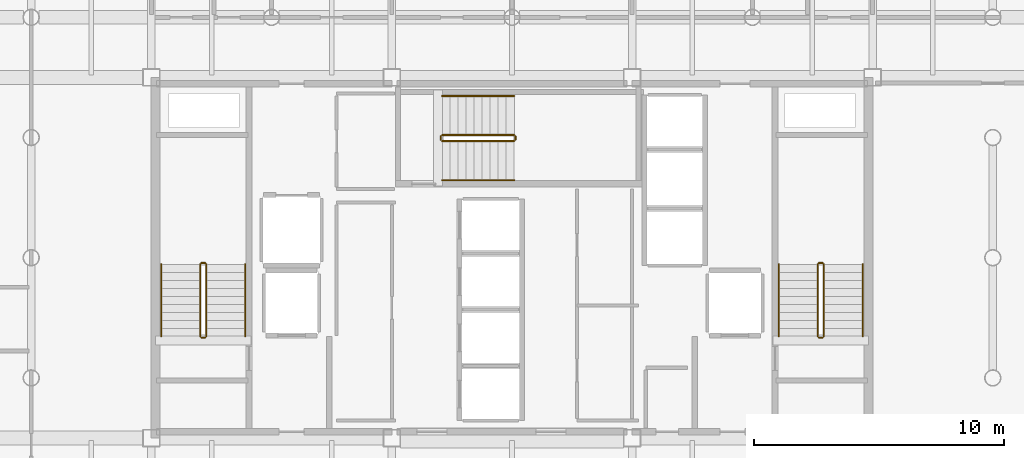
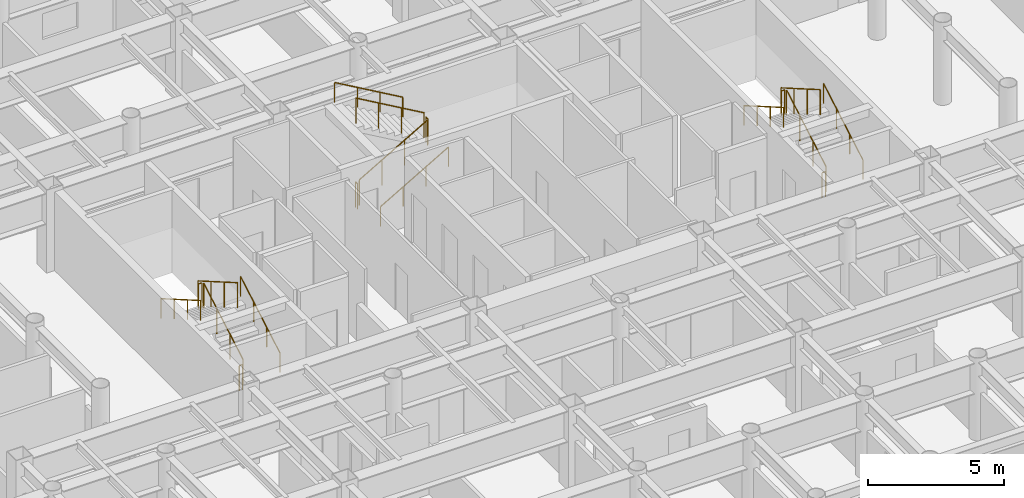
# One storey, part 21 of 22: 18 railings.
"""IFC4 building model written with IfcOpenShell, lengths in metres."""

from ifc_helpers import new_model, si_unit, direction, frame, origin, origin_2d, place, context, subcontext, project, spatial, circle, extrude, material, layer, layer_set, type_object, element, save


model = new_model("IFC4")

# Units and contexts
model_context = context("Model", 3, precision=1e-05, world=origin(), true_north=direction((0.0, 1.0)))
body_context = subcontext(model_context, "Body", "Model", "MODEL_VIEW")
ifc_project = project(units=[si_unit("LENGTHUNIT", "METRE"), si_unit("AREAUNIT", "SQUARE_METRE"), si_unit("VOLUMEUNIT", "CUBIC_METRE"), si_unit("PLANEANGLEUNIT", "RADIAN"), si_unit("MASSUNIT", "GRAM", prefix="KILO")], contexts=[model_context])

# Site, building, storey
site_placement = place(None, origin())
site = spatial("IfcSite", under=ifc_project, at=site_placement, CompositionType="ELEMENT")
building_placement = place(site_placement, origin())
building = spatial("IfcBuilding", under=site, at=building_placement, Name="Kallvorn Hotel Tower", CompositionType="ELEMENT")
storey_placement = place(building_placement, frame((0.0, 0.0, 154.39990234375)))
storey = spatial("IfcBuildingStorey", under=building, at=storey_placement, Name="L38", CompositionType="ELEMENT", Elevation=154.39990234375)

# Railings
ifc_material_1 = material(Name="Brushed stainless-steel tubular railing", Category="steel")
ifc_layer_1 = layer(ifc_material_1, 0.050048828125)
ifc_layer_set_1 = layer_set([ifc_layer_1], Name="RL_STAIR_GUARD")
railing_type_1 = type_object("IfcRailingType", Name="RL_STAIR_GUARD", PredefinedType="GUARDRAIL", material=ifc_layer_set_1)
railing_1_placement = place(storey_placement, frame((-12.2099609375, -3.139892578125, 0.18505859375)))
element("IfcRailing", 1, at=railing_1_placement, inside=storey, type_object=railing_type_1, Name="L38 ST1 stair guard 1", PredefinedType="GUARDRAIL", context=body_context, shape_type="SweptSolid", body=[
    extrude(circle(Radius=0.02392578125, at=origin_2d()), frame((0.0, 0.0, 1.1259765625), z_axis=(0.0, 0.865720918037, 0.500527014328), x_axis=(-1.0, 0.0, 0.0)), (0.0, 0.0, 1.0), 3.32666015625),
    extrude(circle(Radius=0.02099609375, at=origin_2d()), origin(), (0.0, 0.0, 1.0), 1.101806640625),
    extrude(circle(Radius=0.02099609375, at=origin_2d()), frame((0.0, 0.9599609375, 0.554931640625)), (0.0, 0.0, 1.0), 1.101806640625),
    extrude(circle(Radius=0.02099609375, at=origin_2d()), frame((0.0, 1.919921875, 1.110107421875)), (0.0, 0.0, 1.0), 1.101806640625),
    extrude(circle(Radius=0.02099609375, at=origin_2d()), frame((0.0, 2.8798828125, 1.6650390625)), (0.0, 0.0, 1.0), 1.101806640625),
])
railing_2_placement = place(storey_placement, frame((-12.260009765625, -0.2099609375, 1.85009765625)))
element("IfcRailing", 2, at=railing_2_placement, inside=storey, type_object=railing_type_1, Name="L38 ST1 stair guard 2", PredefinedType="GUARDRAIL", context=body_context, shape_type="SweptSolid", body=[
    extrude(circle(Radius=0.02392578125, at=origin_2d()), frame((0.0, 0.0, 1.1259765625), z_axis=(-1.0, 0.0, 0.0), x_axis=(0.0, -1.0, 0.0)), (0.0, 0.0, 1.0), 0.139892578125),
    extrude(circle(Radius=0.02099609375, at=origin_2d()), origin(), (0.0, 0.0, 1.0), 1.101806640625),
    extrude(circle(Radius=0.02099609375, at=origin_2d()), frame((-0.139892578125, 0.0, 0.0)), (0.0, 0.0, 1.0), 1.101806640625),
])
railing_3_placement = place(storey_placement, frame((-12.449951171875, -0.260009765625, 2.03515625)))
element("IfcRailing", 3, at=railing_3_placement, inside=storey, type_object=railing_type_1, Name="L38 ST1 stair guard 3", PredefinedType="GUARDRAIL", context=body_context, shape_type="SweptSolid", body=[
    extrude(circle(Radius=0.02392578125, at=origin_2d()), frame((0.0, 0.0, 1.1259765625), z_axis=(0.0, -0.865720918037, 0.500527014328), x_axis=(1.0, 0.0, 0.0)), (0.0, 0.0, 1.0), 3.32666015625),
    extrude(circle(Radius=0.02099609375, at=origin_2d()), origin(), (0.0, 0.0, 1.0), 1.101806640625),
    extrude(circle(Radius=0.02099609375, at=origin_2d()), frame((0.0, -0.9599609375, 0.554931640625)), (0.0, 0.0, 1.0), 1.101806640625),
    extrude(circle(Radius=0.02099609375, at=origin_2d()), frame((0.0, -1.919921875, 1.110107421875)), (0.0, 0.0, 1.0), 1.101806640625),
    extrude(circle(Radius=0.02099609375, at=origin_2d()), frame((0.0, -2.8798828125, 1.6650390625)), (0.0, 0.0, 1.0), 1.101806640625),
])
railing_4_placement = place(storey_placement, frame((-12.260009765625, -3.18994140625, 0.0)))
element("IfcRailing", 4, at=railing_4_placement, inside=storey, type_object=railing_type_1, Name="L38 ST1 stair guard 4", PredefinedType="GUARDRAIL", context=body_context, shape_type="SweptSolid", body=[
    extrude(circle(Radius=0.02392578125, at=origin_2d()), frame((0.0, 0.0, 1.1259765625), z_axis=(-1.0, 0.0, 0.0), x_axis=(0.0, -1.0, 0.0)), (0.0, 0.0, 1.0), 0.139892578125),
    extrude(circle(Radius=0.02099609375, at=origin_2d()), origin(), (0.0, 0.0, 1.0), 1.101806640625),
    extrude(circle(Radius=0.02099609375, at=origin_2d()), frame((-0.139892578125, 0.0, 0.0)), (0.0, 0.0, 1.0), 1.101806640625),
])
railing_5_placement = place(storey_placement, frame((12.449951171875, -3.139892578125, 0.18505859375)))
element("IfcRailing", 5, at=railing_5_placement, inside=storey, type_object=railing_type_1, Name="L38 ST2 stair guard 1", PredefinedType="GUARDRAIL", context=body_context, shape_type="SweptSolid", body=[
    extrude(circle(Radius=0.02392578125, at=origin_2d()), frame((0.0, 0.0, 1.1259765625), z_axis=(0.0, 0.865720918037, 0.500527014328), x_axis=(-1.0, 0.0, 0.0)), (0.0, 0.0, 1.0), 3.32666015625),
    extrude(circle(Radius=0.02099609375, at=origin_2d()), origin(), (0.0, 0.0, 1.0), 1.101806640625),
    extrude(circle(Radius=0.02099609375, at=origin_2d()), frame((0.0, 0.9599609375, 0.554931640625)), (0.0, 0.0, 1.0), 1.101806640625),
    extrude(circle(Radius=0.02099609375, at=origin_2d()), frame((0.0, 1.919921875, 1.110107421875)), (0.0, 0.0, 1.0), 1.101806640625),
    extrude(circle(Radius=0.02099609375, at=origin_2d()), frame((0.0, 2.8798828125, 1.6650390625)), (0.0, 0.0, 1.0), 1.101806640625),
])
railing_6_placement = place(storey_placement, frame((12.39990234375, -0.2099609375, 1.85009765625)))
element("IfcRailing", 6, at=railing_6_placement, inside=storey, type_object=railing_type_1, Name="L38 ST2 stair guard 2", PredefinedType="GUARDRAIL", context=body_context, shape_type="SweptSolid", body=[
    extrude(circle(Radius=0.02392578125, at=origin_2d()), frame((0.0, 0.0, 1.1259765625), z_axis=(-1.0, 0.0, 0.0), x_axis=(0.0, -1.0, 0.0)), (0.0, 0.0, 1.0), 0.139892578125),
    extrude(circle(Radius=0.02099609375, at=origin_2d()), origin(), (0.0, 0.0, 1.0), 1.101806640625),
    extrude(circle(Radius=0.02099609375, at=origin_2d()), frame((-0.139892578125, 0.0, 0.0)), (0.0, 0.0, 1.0), 1.101806640625),
])
railing_7_placement = place(storey_placement, frame((12.2099609375, -0.260009765625, 2.03515625)))
element("IfcRailing", 7, at=railing_7_placement, inside=storey, type_object=railing_type_1, Name="L38 ST2 stair guard 3", PredefinedType="GUARDRAIL", context=body_context, shape_type="SweptSolid", body=[
    extrude(circle(Radius=0.02392578125, at=origin_2d()), frame((0.0, 0.0, 1.1259765625), z_axis=(0.0, -0.865720918037, 0.500527014328), x_axis=(1.0, 0.0, 0.0)), (0.0, 0.0, 1.0), 3.32666015625),
    extrude(circle(Radius=0.02099609375, at=origin_2d()), origin(), (0.0, 0.0, 1.0), 1.101806640625),
    extrude(circle(Radius=0.02099609375, at=origin_2d()), frame((0.0, -0.9599609375, 0.554931640625)), (0.0, 0.0, 1.0), 1.101806640625),
    extrude(circle(Radius=0.02099609375, at=origin_2d()), frame((0.0, -1.919921875, 1.110107421875)), (0.0, 0.0, 1.0), 1.101806640625),
    extrude(circle(Radius=0.02099609375, at=origin_2d()), frame((0.0, -2.8798828125, 1.6650390625)), (0.0, 0.0, 1.0), 1.101806640625),
])
railing_8_placement = place(storey_placement, frame((12.39990234375, -3.18994140625, 0.0)))
element("IfcRailing", 8, at=railing_8_placement, inside=storey, type_object=railing_type_1, Name="L38 ST2 stair guard 4", PredefinedType="GUARDRAIL", context=body_context, shape_type="SweptSolid", body=[
    extrude(circle(Radius=0.02392578125, at=origin_2d()), frame((0.0, 0.0, 1.1259765625), z_axis=(-1.0, 0.0, 0.0), x_axis=(0.0, -1.0, 0.0)), (0.0, 0.0, 1.0), 0.139892578125),
    extrude(circle(Radius=0.02099609375, at=origin_2d()), origin(), (0.0, 0.0, 1.0), 1.101806640625),
    extrude(circle(Radius=0.02099609375, at=origin_2d()), frame((-0.139892578125, 0.0, 0.0)), (0.0, 0.0, 1.0), 1.101806640625),
])
railing_9_placement = place(storey_placement, frame((-2.7900390625, 4.659912109375, 0.18505859375)))
element("IfcRailing", 9, at=railing_9_placement, inside=storey, type_object=railing_type_1, Name="L38 ST3 stair guard 1", PredefinedType="GUARDRAIL", context=body_context, shape_type="SweptSolid", body=[
    extrude(circle(Radius=0.02392578125, at=origin_2d()), frame((0.0, 0.0, 1.1259765625), z_axis=(0.865739302748, 0.0, 0.50049521444), x_axis=(0.0, 1.0, 0.0)), (0.0, 0.0, 1.0), 3.326904296875),
    extrude(circle(Radius=0.02099609375, at=origin_2d()), origin(), (0.0, 0.0, 1.0), 1.101806640625),
    extrude(circle(Radius=0.02099609375, at=origin_2d()), frame((0.9599609375, 0.0, 0.554931640625)), (0.0, 0.0, 1.0), 1.101806640625),
    extrude(circle(Radius=0.02099609375, at=origin_2d()), frame((1.920166015625, 0.0, 1.110107421875)), (0.0, 0.0, 1.0), 1.101806640625),
    extrude(circle(Radius=0.02099609375, at=origin_2d()), frame((2.880126953125, 0.0, 1.6650390625)), (0.0, 0.0, 1.0), 1.101806640625),
])
railing_10_placement = place(storey_placement, frame((0.139892578125, 4.7099609375, 1.85009765625)))
element("IfcRailing", 10, at=railing_10_placement, inside=storey, type_object=railing_type_1, Name="L38 ST3 stair guard 2", PredefinedType="GUARDRAIL", context=body_context, shape_type="SweptSolid", body=[
    extrude(circle(Radius=0.02392578125, at=origin_2d()), frame((0.0, 0.0, 1.1259765625), z_axis=(0.0, 1.0, 0.0), x_axis=(-1.0, 0.0, 0.0)), (0.0, 0.0, 1.0), 0.14013671875),
    extrude(circle(Radius=0.02099609375, at=origin_2d()), origin(), (0.0, 0.0, 1.0), 1.101806640625),
    extrude(circle(Radius=0.02099609375, at=origin_2d()), frame((0.0, 0.14013671875, 0.0)), (0.0, 0.0, 1.0), 1.101806640625),
])
railing_11_placement = place(storey_placement, frame((0.090087890625, 4.89990234375, 2.03515625)))
element("IfcRailing", 11, at=railing_11_placement, inside=storey, type_object=railing_type_1, Name="L38 ST3 stair guard 3", PredefinedType="GUARDRAIL", context=body_context, shape_type="SweptSolid", body=[
    extrude(circle(Radius=0.02392578125, at=origin_2d()), frame((0.0, 0.0, 1.1259765625), z_axis=(-0.865739302748, 0.0, 0.50049521444), x_axis=(0.0, -1.0, 0.0)), (0.0, 0.0, 1.0), 3.326904296875),
    extrude(circle(Radius=0.02099609375, at=origin_2d()), origin(), (0.0, 0.0, 1.0), 1.101806640625),
    extrude(circle(Radius=0.02099609375, at=origin_2d()), frame((-0.9599609375, 0.0, 0.554931640625)), (0.0, 0.0, 1.0), 1.101806640625),
    extrude(circle(Radius=0.02099609375, at=origin_2d()), frame((-1.920166015625, 0.0, 1.110107421875)), (0.0, 0.0, 1.0), 1.101806640625),
    extrude(circle(Radius=0.02099609375, at=origin_2d()), frame((-2.880126953125, 0.0, 1.6650390625)), (0.0, 0.0, 1.0), 1.101806640625),
])
railing_12_placement = place(storey_placement, frame((-2.840087890625, 4.7099609375, 0.0)))
element("IfcRailing", 12, at=railing_12_placement, inside=storey, type_object=railing_type_1, Name="L38 ST3 stair guard 4", PredefinedType="GUARDRAIL", context=body_context, shape_type="SweptSolid", body=[
    extrude(circle(Radius=0.02392578125, at=origin_2d()), frame((0.0, 0.0, 1.1259765625), z_axis=(0.0, 1.0, 0.0), x_axis=(-1.0, 0.0, 0.0)), (0.0, 0.0, 1.0), 0.14013671875),
    extrude(circle(Radius=0.02099609375, at=origin_2d()), origin(), (0.0, 0.0, 1.0), 1.101806640625),
    extrude(circle(Radius=0.02099609375, at=origin_2d()), frame((0.0, 0.14013671875, 0.0)), (0.0, 0.0, 1.0), 1.101806640625),
])
ifc_material_2 = material(Name="Brushed stainless-steel tubular railing", Category="steel")
ifc_layer_2 = layer(ifc_material_2, 0.050048828125)
ifc_layer_set_2 = layer_set([ifc_layer_2], Name="RL_STAIR_HAND")
railing_type_2 = type_object("IfcRailingType", Name="RL_STAIR_HAND", PredefinedType="HANDRAIL", material=ifc_layer_set_2)
railing_13_placement = place(storey_placement, frame((-10.64990234375, -3.139892578125, 0.18505859375)))
element("IfcRailing", 13, at=railing_13_placement, inside=storey, type_object=railing_type_2, Name="L38 ST1 stair handrail 1", PredefinedType="HANDRAIL", context=body_context, shape_type="SweptSolid", body=[
    extrude(circle(Radius=0.02392578125, at=origin_2d()), frame((0.0, 0.0, 0.8759765625), z_axis=(0.0, 0.865720918037, 0.500527014328), x_axis=(-1.0, 0.0, 0.0)), (0.0, 0.0, 1.0), 3.32666015625),
    extrude(circle(Radius=0.02099609375, at=origin_2d()), origin(), (0.0, 0.0, 1.0), 0.851806640625),
    extrude(circle(Radius=0.02099609375, at=origin_2d()), frame((0.0, 0.9599609375, 0.554931640625)), (0.0, 0.0, 1.0), 0.851806640625),
    extrude(circle(Radius=0.02099609375, at=origin_2d()), frame((0.0, 1.919921875, 1.110107421875)), (0.0, 0.0, 1.0), 0.851806640625),
    extrude(circle(Radius=0.02099609375, at=origin_2d()), frame((0.0, 2.8798828125, 1.6650390625)), (0.0, 0.0, 1.0), 0.851806640625),
])
railing_14_placement = place(storey_placement, frame((-14.010009765625, -0.260009765625, 2.03515625)))
element("IfcRailing", 14, at=railing_14_placement, inside=storey, type_object=railing_type_2, Name="L38 ST1 stair handrail 2", PredefinedType="HANDRAIL", context=body_context, shape_type="SweptSolid", body=[
    extrude(circle(Radius=0.02392578125, at=origin_2d()), frame((0.0, 0.0, 0.8759765625), z_axis=(0.0, -0.865720918037, 0.500527014328), x_axis=(1.0, 0.0, 0.0)), (0.0, 0.0, 1.0), 3.32666015625),
    extrude(circle(Radius=0.02099609375, at=origin_2d()), origin(), (0.0, 0.0, 1.0), 0.851806640625),
    extrude(circle(Radius=0.02099609375, at=origin_2d()), frame((0.0, -0.9599609375, 0.554931640625)), (0.0, 0.0, 1.0), 0.851806640625),
    extrude(circle(Radius=0.02099609375, at=origin_2d()), frame((0.0, -1.919921875, 1.110107421875)), (0.0, 0.0, 1.0), 0.851806640625),
    extrude(circle(Radius=0.02099609375, at=origin_2d()), frame((0.0, -2.8798828125, 1.6650390625)), (0.0, 0.0, 1.0), 0.851806640625),
])
railing_15_placement = place(storey_placement, frame((14.010009765625, -3.139892578125, 0.18505859375)))
element("IfcRailing", 15, at=railing_15_placement, inside=storey, type_object=railing_type_2, Name="L38 ST2 stair handrail 1", PredefinedType="HANDRAIL", context=body_context, shape_type="SweptSolid", body=[
    extrude(circle(Radius=0.02392578125, at=origin_2d()), frame((0.0, 0.0, 0.8759765625), z_axis=(0.0, 0.865720918037, 0.500527014328), x_axis=(-1.0, 0.0, 0.0)), (0.0, 0.0, 1.0), 3.32666015625),
    extrude(circle(Radius=0.02099609375, at=origin_2d()), origin(), (0.0, 0.0, 1.0), 0.851806640625),
    extrude(circle(Radius=0.02099609375, at=origin_2d()), frame((0.0, 0.9599609375, 0.554931640625)), (0.0, 0.0, 1.0), 0.851806640625),
    extrude(circle(Radius=0.02099609375, at=origin_2d()), frame((0.0, 1.919921875, 1.110107421875)), (0.0, 0.0, 1.0), 0.851806640625),
    extrude(circle(Radius=0.02099609375, at=origin_2d()), frame((0.0, 2.8798828125, 1.6650390625)), (0.0, 0.0, 1.0), 0.851806640625),
])
railing_16_placement = place(storey_placement, frame((10.64990234375, -0.260009765625, 2.03515625)))
element("IfcRailing", 16, at=railing_16_placement, inside=storey, type_object=railing_type_2, Name="L38 ST2 stair handrail 2", PredefinedType="HANDRAIL", context=body_context, shape_type="SweptSolid", body=[
    extrude(circle(Radius=0.02392578125, at=origin_2d()), frame((0.0, 0.0, 0.8759765625), z_axis=(0.0, -0.865720918037, 0.500527014328), x_axis=(1.0, 0.0, 0.0)), (0.0, 0.0, 1.0), 3.32666015625),
    extrude(circle(Radius=0.02099609375, at=origin_2d()), origin(), (0.0, 0.0, 1.0), 0.851806640625),
    extrude(circle(Radius=0.02099609375, at=origin_2d()), frame((0.0, -0.9599609375, 0.554931640625)), (0.0, 0.0, 1.0), 0.851806640625),
    extrude(circle(Radius=0.02099609375, at=origin_2d()), frame((0.0, -1.919921875, 1.110107421875)), (0.0, 0.0, 1.0), 0.851806640625),
    extrude(circle(Radius=0.02099609375, at=origin_2d()), frame((0.0, -2.8798828125, 1.6650390625)), (0.0, 0.0, 1.0), 0.851806640625),
])
railing_17_placement = place(storey_placement, frame((-2.7900390625, 3.10009765625, 0.18505859375)))
element("IfcRailing", 17, at=railing_17_placement, inside=storey, type_object=railing_type_2, Name="L38 ST3 stair handrail 1", PredefinedType="HANDRAIL", context=body_context, shape_type="SweptSolid", body=[
    extrude(circle(Radius=0.02392578125, at=origin_2d()), frame((0.0, 0.0, 0.8759765625), z_axis=(0.865739302748, 0.0, 0.50049521444), x_axis=(0.0, 1.0, 0.0)), (0.0, 0.0, 1.0), 3.326904296875),
    extrude(circle(Radius=0.02099609375, at=origin_2d()), origin(), (0.0, 0.0, 1.0), 0.851806640625),
    extrude(circle(Radius=0.02099609375, at=origin_2d()), frame((0.9599609375, 0.0, 0.554931640625)), (0.0, 0.0, 1.0), 0.851806640625),
    extrude(circle(Radius=0.02099609375, at=origin_2d()), frame((1.920166015625, 0.0, 1.110107421875)), (0.0, 0.0, 1.0), 0.851806640625),
    extrude(circle(Radius=0.02099609375, at=origin_2d()), frame((2.880126953125, 0.0, 1.6650390625)), (0.0, 0.0, 1.0), 0.851806640625),
])
railing_18_placement = place(storey_placement, frame((0.090087890625, 6.4599609375, 2.03515625)))
element("IfcRailing", 18, at=railing_18_placement, inside=storey, type_object=railing_type_2, Name="L38 ST3 stair handrail 2", PredefinedType="HANDRAIL", context=body_context, shape_type="SweptSolid", body=[
    extrude(circle(Radius=0.02392578125, at=origin_2d()), frame((0.0, 0.0, 0.8759765625), z_axis=(-0.865739302748, 0.0, 0.50049521444), x_axis=(0.0, -1.0, 0.0)), (0.0, 0.0, 1.0), 3.326904296875),
    extrude(circle(Radius=0.02099609375, at=origin_2d()), origin(), (0.0, 0.0, 1.0), 0.851806640625),
    extrude(circle(Radius=0.02099609375, at=origin_2d()), frame((-0.9599609375, 0.0, 0.554931640625)), (0.0, 0.0, 1.0), 0.851806640625),
    extrude(circle(Radius=0.02099609375, at=origin_2d()), frame((-1.920166015625, 0.0, 1.110107421875)), (0.0, 0.0, 1.0), 0.851806640625),
    extrude(circle(Radius=0.02099609375, at=origin_2d()), frame((-2.880126953125, 0.0, 1.6650390625)), (0.0, 0.0, 1.0), 0.851806640625),
])

save(model, "model.ifc")
